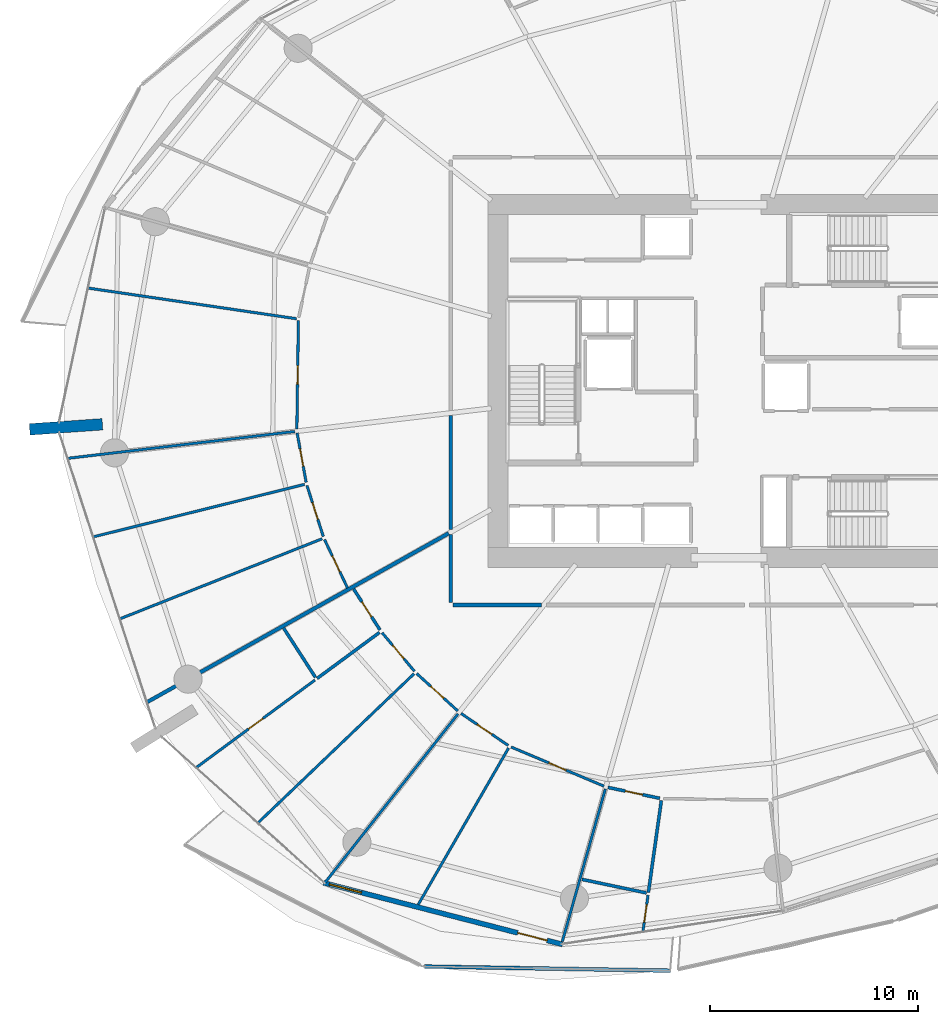
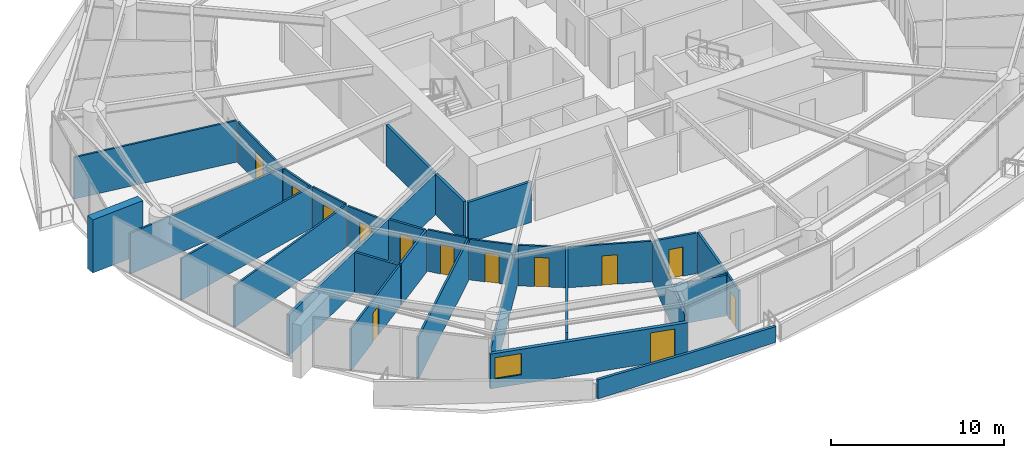
# One storey, part 19 of 31: 31 walls, 13 doors, 1 window, 14 openings.
"""IFC4 building model written with IfcOpenShell, lengths in metres."""

from ifc_helpers import new_model, si_unit, direction, frame, frame_2d, origin, place, context, subcontext, project, spatial, polyline, rectangle, outline, extrude, material, layer, layer_set, type_object, element, fill, save


model = new_model("IFC4")

# Units and contexts
model_context = context("Model", 3, precision=1e-05, world=origin(), true_north=direction((0.0, 1.0)))
body_context = subcontext(model_context, "Body", "Model", "MODEL_VIEW")
ifc_project = project(units=[si_unit("LENGTHUNIT", "METRE"), si_unit("AREAUNIT", "SQUARE_METRE"), si_unit("VOLUMEUNIT", "CUBIC_METRE"), si_unit("PLANEANGLEUNIT", "RADIAN"), si_unit("MASSUNIT", "GRAM", prefix="KILO")], contexts=[model_context])

# Site, building, storey
site_placement = place(None, origin())
site = spatial("IfcSite", under=ifc_project, at=site_placement, CompositionType="ELEMENT")
building_placement = place(site_placement, origin())
building = spatial("IfcBuilding", under=site, at=building_placement, Name="Kazma Halo Residences", CompositionType="ELEMENT")
storey_placement = place(building_placement, frame((0.0, 0.0, 33.89990234375)))
storey = spatial("IfcBuildingStorey", under=building, at=storey_placement, Name="L07", CompositionType="ELEMENT", Elevation=33.89990234375)

# Walls
ifc_material_1 = material(Name="White Concrete C50/60 Balustrade", Category="concrete")
ifc_layer_1 = layer(ifc_material_1, 0.179931640625)
ifc_layer_set_1 = layer_set([ifc_layer_1], Name="White Concrete C50/60 Balustrade")
wall_type_1 = type_object("IfcWallType", Name="WL-BAL-WAVE-180", PredefinedType="PARAPET", material=ifc_layer_set_1)
wall_1_placement = place(storey_placement, frame((33.796142578125, 13.8857421875, 0.0), z_axis=(0.0, 0.0, 1.0), x_axis=(0.999855793441, -0.016982117721, 0.0)))
element("IfcWall", 1, at=wall_1_placement, inside=storey, type_object=wall_type_1, Name="L07 white wave balustrade wall SW.2", PredefinedType="PARAPET", context=body_context, shape_type="SweptSolid", body=[
    extrude(outline(polyline([(0.0, 0.0), (11.802978515625, 0.0), (11.802978515625, 1.1201171875), (5.901611328125, 1.18212890625), (0.0, 1.34814453125), (0.0, 0.0)])), frame((0.0, 0.08984375, 0.0), z_axis=(0.0, -1.0, 0.0), x_axis=(1.0, 0.0, 0.0)), (0.0, 0.0, 1.0), 0.179931640625),
])
ifc_material_2 = material(Name="Pale Concrete C60/75", Category="concrete")
ifc_layer_2 = layer(ifc_material_2, 0.550048828125)
ifc_layer_set_2 = layer_set([ifc_layer_2], Name="Pale Concrete C60/75")
wall_type_2 = type_object("IfcWallType", Name="WL-BLADE-550", PredefinedType="SOLIDWALL", material=ifc_layer_set_2)
wall_2_placement = place(storey_placement, frame((18.322021484375, 39.9248046875, 0.0), z_axis=(0.0, 0.0, 1.0), x_axis=(-0.997564163539, -0.069754853754, 0.0)))
element("IfcWall", 2, at=wall_2_placement, inside=storey, type_object=wall_type_2, Name="L07 pale concrete structural blade fin wall BW-02", PredefinedType="SOLIDWALL", context=body_context, shape_type="SweptSolid", body=[
    extrude(rectangle(XDim=3.5, YDim=0.550048828125, at=frame_2d((1.75, 0.0))), origin(), (0.0, 0.0, 1.0), 3.75),
])
ifc_material_3 = material(Name="Acoustic Twin-Stud Gypsum")
ifc_layer_3 = layer(ifc_material_3, 0.179931640625)
ifc_layer_set_3 = layer_set([ifc_layer_3], Name="Acoustic Twin-Stud Gypsum")
wall_type_3 = type_object("IfcWallType", Name="WL-DEM-180", PredefinedType="PARTITIONING", material=ifc_layer_set_3)
wall_3_placement = place(storey_placement, frame((34.9541015625, 34.694091796875, 0.0), z_axis=(0.0, 0.0, 1.0), x_axis=(-0.872493465611, -0.488625779577, 0.0)))
element("IfcWall", 3, at=wall_3_placement, inside=storey, type_object=wall_type_3, Name="L07 apartment demising radial wall 08", PredefinedType="PARTITIONING", context=body_context, shape_type="SweptSolid", body=[
    extrude(rectangle(XDim=16.586181640625, YDim=0.179931640625, at=frame_2d((8.29296875, 0.0))), origin(), (0.0, 0.0, 1.0), 2.8671875),
])
wall_4_placement = place(storey_placement, frame((35.050048828125, 40.347412109375, 0.0), z_axis=(0.0, 0.0, 1.0), x_axis=(0.0, -1.0, 0.0)))
element("IfcWall", 4, at=wall_4_placement, inside=storey, type_object=wall_type_3, Name="L07 Apartment 1 inner wall 7", PredefinedType="PARTITIONING", context=body_context, shape_type="SweptSolid", body=[
    extrude(rectangle(XDim=5.479736328125, YDim=0.179931640625, at=frame_2d((2.73974609375, 0.0))), origin(), (0.0, 0.0, 1.0), 2.8671875),
])
wall_5_placement = place(storey_placement, frame((35.050048828125, 34.627685546875, 0.0), z_axis=(0.0, 0.0, 1.0), x_axis=(0.0, -1.0, 0.0)))
element("IfcWall", 5, at=wall_5_placement, inside=storey, type_object=wall_type_3, Name="L07 Apartment 2 inner wall 8", PredefinedType="PARTITIONING", context=body_context, shape_type="SweptSolid", body=[
    extrude(rectangle(XDim=3.257568359375, YDim=0.179931640625, at=frame_2d((1.62890625, 0.0))), origin(), (0.0, 0.0, 1.0), 2.8671875),
])
wall_6_placement = place(storey_placement, frame((35.169921875, 31.25, 0.0), z_axis=(0.0, 0.0, 1.0), x_axis=(1.0, 0.0, 0.0)))
element("IfcWall", 6, at=wall_6_placement, inside=storey, type_object=wall_type_3, Name="L07 Apartment 2 inner wall 8", PredefinedType="PARTITIONING", context=body_context, shape_type="SweptSolid", body=[
    extrude(rectangle(XDim=4.235595703125, YDim=0.179931640625, at=frame_2d((2.11767578125, 0.0))), origin(), (0.0, 0.0, 1.0), 2.8671875),
])

# Wall, openings, door, window
ifc_material_4 = material(Name="Insulated Pale-Metal Composite Wall")
ifc_layer_4 = layer(ifc_material_4, 0.239990234375)
ifc_layer_set_4 = layer_set([ifc_layer_4], Name="Insulated Pale-Metal Composite Wall")
wall_type_4 = type_object("IfcWallType", Name="WL-EXT-HOST-240", PredefinedType="SOLIDWALL", material=ifc_layer_set_4)
wall_7_placement = place(storey_placement, frame((28.94580078125, 17.90380859375, 0.0), z_axis=(0.0, 0.0, 1.0), x_axis=(0.96833871487, -0.249640007378, 0.0)))
wall_7 = element("IfcWall", 7, at=wall_7_placement, inside=storey, type_object=wall_type_4, Name="L07 exterior terrace-access wall B10", PredefinedType="SOLIDWALL", context=body_context, shape_type="SweptSolid", body=[
    extrude(rectangle(XDim=11.85107421875, YDim=0.239990234375, at=frame_2d((5.925537109375, 0.0))), origin(), (0.0, 0.0, 1.0), 2.4501953125),
])
opening_1_placement = place(wall_7_placement, frame((9.631103515625, 0.0, 0.0)))
opening_1 = element("IfcOpeningElement", 8, at=opening_1_placement, cuts=wall_7, Name="Opening DTR-1600", PredefinedType="OPENING", context=body_context, shape_type="SweptSolid", body=[
    extrude(rectangle(XDim=1.449951171875, YDim=2.14990234375, at=frame_2d((0.72509765625, 1.074951171875))), frame((0.0, 0.1298828125, 0.0), z_axis=(0.0, -1.0, 0.0), x_axis=(1.0, 0.0, 0.0)), (0.0, 0.0, 1.0), 0.260009765625),
])
opening_2_placement = place(wall_7_placement, frame((0.280029296875, 0.0, 0.64990234375)))
opening_2 = element("IfcOpeningElement", 9, at=opening_2_placement, cuts=wall_7, Name="Opening W-1800", PredefinedType="OPENING", context=body_context, shape_type="SweptSolid", body=[
    extrude(rectangle(XDim=1.60009765625, YDim=1.5, at=frame_2d((0.800048828125, 0.75))), frame((0.0, 0.1298828125, 0.0), z_axis=(0.0, -1.0, 0.0), x_axis=(1.0, 0.0, 0.0)), (0.0, 0.0, 1.0), 0.260009765625),
])
ifc_material_5 = material(Name="Aluminium AW-6063 T6 Double-Glazed Terrace Door", Category="aluminium")
door_type_1 = type_object("IfcDoorType", Name="DR-EXT-TERR-1600", OperationType="NOTDEFINED", PredefinedType="DOOR", material=ifc_material_5)
door_1_placement = place(opening_1_placement, origin())
door_1 = element("IfcDoor", 10, at=door_1_placement, inside=storey, type_object=door_type_1, Name="L07 B10 balcony terrace door", OperationType="DOUBLE_DOOR_SLIDING", OverallHeight=2.14990234375, OverallWidth=1.449951171875, PredefinedType="DOOR", context=body_context, shape_type="SweptSolid", body=[
    extrude(rectangle(XDim=1.449951171875, YDim=2.14990234375, at=frame_2d((0.72509765625, 1.074951171875))), frame((0.0, 0.02490234375, 0.0), z_axis=(0.0, -1.0, 0.0), x_axis=(1.0, 0.0, 0.0)), (0.0, 0.0, 1.0), 0.050048828125),
])
fill(opening_1, door_1)
ifc_material_6 = material(Name="Clear Triple-Silver Low-E Glass in Aluminium AW-6063 T6 Frame", Category="aluminium")
window_type = type_object("IfcWindowType", Name="WIN-RES-1800", PartitioningType="DOUBLE_PANEL_VERTICAL", PredefinedType="WINDOW", material=ifc_material_6)
window_placement = place(opening_2_placement, origin())
window = element("IfcWindow", 11, at=window_placement, inside=storey, type_object=window_type, Name="L07 B10 apartment window", OverallHeight=1.5, OverallWidth=1.60009765625, PartitioningType="SINGLE_PANEL", PredefinedType="WINDOW", context=body_context, shape_type="SweptSolid", body=[
    extrude(rectangle(XDim=1.60009765625, YDim=1.5, at=frame_2d((0.800048828125, 0.75))), frame((0.0, 0.030029296875, 0.0), z_axis=(0.0, -1.0, 0.0), x_axis=(1.0, 0.0, 0.0)), (0.0, 0.0, 1.0), 0.06005859375),
])
fill(opening_2, window)

# Wall
ifc_material_7 = material(Name="Gypsum Plasterboard Partition")
ifc_layer_5 = layer(ifc_material_7, 0.125)
ifc_layer_set_5 = layer_set([ifc_layer_5], Name="Gypsum Plasterboard Partition")
wall_type_5 = type_object("IfcWallType", Name="WL-PART-125", PredefinedType="PARTITIONING", material=ifc_layer_set_5)
wall_8_placement = place(storey_placement, frame((27.646240234375, 44.99462890625, 0.0), z_axis=(0.0, 0.0, 1.0), x_axis=(-0.989346856364, 0.145577463234, 0.0)))
element("IfcWall", 12, at=wall_8_placement, inside=storey, type_object=wall_type_5, Name="L07 Apartment 1 mid-bay wall 6", PredefinedType="PARTITIONING", context=body_context, shape_type="SweptSolid", body=[
    extrude(rectangle(XDim=10.104248046875, YDim=0.125, at=frame_2d((5.05224609375, 0.0))), origin(), (0.0, 0.0, 1.0), 2.940185546875),
])

# Wall, opening, door
wall_9_placement = place(storey_placement, frame((27.734130859375, 44.901611328125, 0.0), z_axis=(0.0, 0.0, 1.0), x_axis=(-0.014152399805, -0.999899849775, 0.0)))
wall_9 = element("IfcWall", 13, at=wall_9_placement, inside=storey, type_object=wall_type_5, Name="L07 Apartment 1 Primary Formal Dining Room hall wall", PredefinedType="PARTITIONING", context=body_context, shape_type="SweptSolid", body=[
    extrude(rectangle(XDim=5.209716796875, YDim=0.125, at=frame_2d((2.60498046875, 0.0))), origin(), (0.0, 0.0, 1.0), 2.8671875),
])
opening_3_placement = place(wall_9_placement, frame((2.15478515625, 0.0, 0.0)))
opening_3 = element("IfcOpeningElement", 14, at=opening_3_placement, cuts=wall_9, Name="Opening DI-950", PredefinedType="OPENING", context=body_context, shape_type="SweptSolid", body=[
    extrude(rectangle(XDim=0.89990234375, YDim=2.080078125, at=frame_2d((0.449951171875, 1.0400390625))), frame((0.0, 0.072509765625, 0.0), z_axis=(0.0, -1.0, 0.0), x_axis=(1.0, 0.0, 0.0)), (0.0, 0.0, 1.0), 0.14501953125),
])
ifc_material_8 = material(Name="Timber Veneer Flush Leaf", Category="wood")
door_type_2 = type_object("IfcDoorType", Name="DR-INT-950", OperationType="NOTDEFINED", PredefinedType="DOOR", material=ifc_material_8)
door_2_placement = place(opening_3_placement, origin())
door_2 = element("IfcDoor", 15, at=door_2_placement, inside=storey, type_object=door_type_2, Name="L07 Apartment 1 Primary Formal Dining Room door", OperationType="SINGLE_SWING_LEFT", OverallHeight=2.080078125, OverallWidth=0.89990234375, PredefinedType="DOOR", context=body_context, shape_type="SweptSolid", body=[
    extrude(rectangle(XDim=0.89990234375, YDim=2.080078125, at=frame_2d((0.449951171875, 1.0400390625))), frame((0.0, 0.02490234375, 0.0), z_axis=(0.0, -1.0, 0.0), x_axis=(1.0, 0.0, 0.0)), (0.0, 0.0, 1.0), 0.050048828125),
])
fill(opening_3, door_2)

# Walls
wall_10_placement = place(storey_placement, frame((27.559814453125, 39.580810546875, 0.0), z_axis=(0.0, 0.0, 1.0), x_axis=(-0.993067148518, -0.117548451854, 0.0)))
element("IfcWall", 16, at=wall_10_placement, inside=storey, type_object=wall_type_5, Name="L07 Apartment 1 radial partition 7", PredefinedType="PARTITIONING", context=body_context, shape_type="SweptSolid", body=[
    extrude(rectangle(XDim=10.955810546875, YDim=0.125, at=frame_2d((5.47802734375, 0.0))), origin(), (0.0, 0.0, 1.0), 2.8671875),
])
wall_11_placement = place(storey_placement, frame((28.03369140625, 37.040283203125, 0.0), z_axis=(0.0, 0.0, 1.0), x_axis=(-0.970510155377, -0.241060237928, 0.0)))
element("IfcWall", 17, at=wall_11_placement, inside=storey, type_object=wall_type_5, Name="L07 Apartment 1 bay wall 1 7", PredefinedType="PARTITIONING", context=body_context, shape_type="SweptSolid", body=[
    extrude(rectangle(XDim=10.436767578125, YDim=0.125, at=frame_2d((5.21826171875, 0.0))), origin(), (0.0, 0.0, 1.0), 2.940185546875),
])
wall_12_placement = place(storey_placement, frame((28.87158203125, 34.426513671875, 0.0), z_axis=(0.0, 0.0, 1.0), x_axis=(-0.929776542834, -0.368124408855, 0.0)))
element("IfcWall", 18, at=wall_12_placement, inside=storey, type_object=wall_type_5, Name="L07 Apartment 1 bay wall 2 7", PredefinedType="PARTITIONING", context=body_context, shape_type="SweptSolid", body=[
    extrude(rectangle(XDim=10.420166015625, YDim=0.125, at=frame_2d((5.2099609375, 0.0))), origin(), (0.0, 0.0, 1.0), 2.940185546875),
])

# Wall, opening, door
wall_13_placement = place(storey_placement, frame((27.67333984375, 39.513916015625, 0.0), z_axis=(0.0, 0.0, 1.0), x_axis=(0.179642413558, -0.983731977345, 0.0)))
wall_13 = element("IfcWall", 19, at=wall_13_placement, inside=storey, type_object=wall_type_5, Name="L07 Apartment 1 Secondary Bedroom hall wall", PredefinedType="PARTITIONING", context=body_context, shape_type="SweptSolid", body=[
    extrude(rectangle(XDim=2.412353515625, YDim=0.125, at=frame_2d((1.2060546875, 0.0))), origin(), (0.0, 0.0, 1.0), 2.8671875),
])
opening_4_placement = place(wall_13_placement, frame((0.781005859375, 0.0, 0.0)))
opening_4 = element("IfcOpeningElement", 20, at=opening_4_placement, cuts=wall_13, Name="Opening DB-900", PredefinedType="OPENING", context=body_context, shape_type="SweptSolid", body=[
    extrude(rectangle(XDim=0.85009765625, YDim=2.06005859375, at=frame_2d((0.425048828125, 1.030029296875))), frame((0.0, 0.072509765625, 0.0), z_axis=(0.0, -1.0, 0.0), x_axis=(1.0, 0.0, 0.0)), (0.0, 0.0, 1.0), 0.14501953125),
])
ifc_material_9 = material(Name="Moisture-Sealed Timber Leaf", Category="wood")
door_type_3 = type_object("IfcDoorType", Name="DR-BTH-900", OperationType="NOTDEFINED", PredefinedType="DOOR", material=ifc_material_9)
door_3_placement = place(opening_4_placement, origin())
door_3 = element("IfcDoor", 21, at=door_3_placement, inside=storey, type_object=door_type_3, Name="L07 Apartment 1 Secondary Bedroom door", OperationType="SINGLE_SWING_RIGHT", OverallHeight=2.06005859375, OverallWidth=0.85009765625, PredefinedType="DOOR", context=body_context, shape_type="SweptSolid", body=[
    extrude(rectangle(XDim=0.85009765625, YDim=2.06005859375, at=frame_2d((0.425048828125, 1.030029296875))), frame((0.0, 0.02490234375, 0.0), z_axis=(0.0, -1.0, 0.0), x_axis=(1.0, 0.0, 0.0)), (0.0, 0.0, 1.0), 0.050048828125),
])
fill(opening_4, door_3)

wall_14_placement = place(storey_placement, frame((28.1455078125, 36.98583984375, 0.0), z_axis=(0.0, 0.0, 1.0), x_axis=(0.305274947668, -0.952264252362, 0.0)))
wall_14 = element("IfcWall", 22, at=wall_14_placement, inside=storey, type_object=wall_type_5, Name="L07 Apartment 1 East Dressing Wardrobe hall wall", PredefinedType="PARTITIONING", context=body_context, shape_type="SweptSolid", body=[
    extrude(rectangle(XDim=2.57275390625, YDim=0.125, at=frame_2d((1.286376953125, 0.0))), origin(), (0.0, 0.0, 1.0), 2.940185546875),
])
opening_5_placement = place(wall_14_placement, frame((0.861328125, 0.0, 0.0)))
opening_5 = element("IfcOpeningElement", 23, at=opening_5_placement, cuts=wall_14, Name="Opening DB-900", PredefinedType="OPENING", context=body_context, shape_type="SweptSolid", body=[
    extrude(rectangle(XDim=0.85009765625, YDim=2.06005859375, at=frame_2d((0.425048828125, 1.030029296875))), frame((0.0, 0.072509765625, 0.0), z_axis=(0.0, -1.0, 0.0), x_axis=(1.0, 0.0, 0.0)), (0.0, 0.0, 1.0), 0.14501953125),
])
door_4_placement = place(opening_5_placement, origin())
door_4 = element("IfcDoor", 24, at=door_4_placement, inside=storey, type_object=door_type_3, Name="L07 Apartment 1 East Dressing Wardrobe door", OperationType="SINGLE_SWING_LEFT", OverallHeight=2.06005859375, OverallWidth=0.85009765625, PredefinedType="DOOR", context=body_context, shape_type="SweptSolid", body=[
    extrude(rectangle(XDim=0.85009765625, YDim=2.06005859375, at=frame_2d((0.425048828125, 1.030029296875))), frame((0.0, 0.02490234375, 0.0), z_axis=(0.0, -1.0, 0.0), x_axis=(1.0, 0.0, 0.0)), (0.0, 0.0, 1.0), 0.050048828125),
])
fill(opening_5, door_4)

wall_15_placement = place(storey_placement, frame((28.98974609375, 34.387451171875, 0.0), z_axis=(0.0, 0.0, 1.0), x_axis=(0.429399392499, -0.903114700202, 0.0)))
wall_15 = element("IfcWall", 25, at=wall_15_placement, inside=storey, type_object=wall_type_5, Name="L07 Apartment 1 West Master Bedroom hall wall", PredefinedType="PARTITIONING", context=body_context, shape_type="SweptSolid", body=[
    extrude(rectangle(XDim=2.57275390625, YDim=0.125, at=frame_2d((1.286376953125, 0.0))), origin(), (0.0, 0.0, 1.0), 2.8671875),
])
opening_6_placement = place(wall_15_placement, frame((0.861328125, 0.0, 0.0)))
opening_6 = element("IfcOpeningElement", 26, at=opening_6_placement, cuts=wall_15, Name="Opening DB-900", PredefinedType="OPENING", context=body_context, shape_type="SweptSolid", body=[
    extrude(rectangle(XDim=0.85009765625, YDim=2.06005859375, at=frame_2d((0.425048828125, 1.030029296875))), frame((0.0, 0.072509765625, 0.0), z_axis=(0.0, -1.0, 0.0), x_axis=(1.0, 0.0, 0.0)), (0.0, 0.0, 1.0), 0.14501953125),
])
door_5_placement = place(opening_6_placement, origin())
door_5 = element("IfcDoor", 27, at=door_5_placement, inside=storey, type_object=door_type_3, Name="L07 Apartment 1 West Master Bedroom door", OperationType="SINGLE_SWING_RIGHT", OverallHeight=2.06005859375, OverallWidth=0.85009765625, PredefinedType="DOOR", context=body_context, shape_type="SweptSolid", body=[
    extrude(rectangle(XDim=0.85009765625, YDim=2.06005859375, at=frame_2d((0.425048828125, 1.030029296875))), frame((0.0, 0.02490234375, 0.0), z_axis=(0.0, -1.0, 0.0), x_axis=(1.0, 0.0, 0.0)), (0.0, 0.0, 1.0), 0.050048828125),
])
fill(opening_6, door_5)

wall_16_placement = place(storey_placement, frame((28.528564453125, 27.6416015625, 0.0), z_axis=(0.0, 0.0, 1.0), x_axis=(-0.804851782882, -0.593475869427, 0.0)))
wall_16 = element("IfcWall", 28, at=wall_16_placement, inside=storey, type_object=wall_type_5, Name="L07 Apartment 2 Household Store Room partition wall", PredefinedType="PARTITIONING", context=body_context, shape_type="SweptSolid", body=[
    extrude(rectangle(XDim=7.068603515625, YDim=0.125, at=frame_2d((3.5341796875, 0.0))), origin(), (0.0, 0.0, 1.0), 2.940185546875),
])
opening_7_placement = place(wall_16_placement, frame((3.109375, 0.0, 0.0)))
opening_7 = element("IfcOpeningElement", 29, at=opening_7_placement, cuts=wall_16, Name="Opening DB-900", PredefinedType="OPENING", context=body_context, shape_type="SweptSolid", body=[
    extrude(rectangle(XDim=0.85009765625, YDim=2.06005859375, at=frame_2d((0.425048828125, 1.030029296875))), frame((0.0, 0.072509765625, 0.0), z_axis=(0.0, -1.0, 0.0), x_axis=(1.0, 0.0, 0.0)), (0.0, 0.0, 1.0), 0.14501953125),
])
door_6_placement = place(opening_7_placement, origin())
door_6 = element("IfcDoor", 30, at=door_6_placement, inside=storey, type_object=door_type_3, Name="L07 Apartment 2 Household Store Room door", OperationType="SINGLE_SWING_LEFT", OverallHeight=2.06005859375, OverallWidth=0.85009765625, PredefinedType="DOOR", context=body_context, shape_type="SweptSolid", body=[
    extrude(rectangle(XDim=0.85009765625, YDim=2.06005859375, at=frame_2d((0.425048828125, 1.030029296875))), frame((0.0, 0.02490234375, 0.0), z_axis=(0.0, -1.0, 0.0), x_axis=(1.0, 0.0, 0.0)), (0.0, 0.0, 1.0), 0.050048828125),
])
fill(opening_7, door_6)

# Wall
wall_17_placement = place(storey_placement, frame((33.291259765625, 27.947021484375, 0.0), z_axis=(0.0, 0.0, 1.0), x_axis=(-0.72304195697, -0.690804117287, 0.0)))
element("IfcWall", 31, at=wall_17_placement, inside=storey, type_object=wall_type_5, Name="L07 Apartment 2 suite divider 8", PredefinedType="PARTITIONING", context=body_context, shape_type="SweptSolid", body=[
    extrude(rectangle(XDim=10.360107421875, YDim=0.125, at=frame_2d((5.18017578125, 0.0))), origin(), (0.0, 0.0, 1.0), 2.940185546875),
])

# Wall, opening, door
wall_18_placement = place(storey_placement, frame((31.75732421875, 29.9111328125, 0.0), z_axis=(0.0, 0.0, 1.0), x_axis=(0.643453951952, -0.76548482135, 0.0)))
wall_18 = element("IfcWall", 32, at=wall_18_placement, inside=storey, type_object=wall_type_5, Name="L07 Apartment 2 Gourmet Kitchen hall wall", PredefinedType="PARTITIONING", context=body_context, shape_type="SweptSolid", body=[
    extrude(rectangle(XDim=2.40478515625, YDim=0.125, at=frame_2d((1.202392578125, 0.0))), origin(), (0.0, 0.0, 1.0), 2.940185546875),
])
opening_8_placement = place(wall_18_placement, frame((0.77734375, 0.0, 0.0)))
opening_8 = element("IfcOpeningElement", 33, at=opening_8_placement, cuts=wall_18, Name="Opening DB-900", PredefinedType="OPENING", context=body_context, shape_type="SweptSolid", body=[
    extrude(rectangle(XDim=0.85009765625, YDim=2.06005859375, at=frame_2d((0.425048828125, 1.030029296875))), frame((0.0, 0.072509765625, 0.0), z_axis=(0.0, -1.0, 0.0), x_axis=(1.0, 0.0, 0.0)), (0.0, 0.0, 1.0), 0.14501953125),
])
door_7_placement = place(opening_8_placement, origin())
door_7 = element("IfcDoor", 34, at=door_7_placement, inside=storey, type_object=door_type_3, Name="L07 Apartment 2 Gourmet Kitchen door", OperationType="SINGLE_SWING_RIGHT", OverallHeight=2.06005859375, OverallWidth=0.85009765625, PredefinedType="DOOR", context=body_context, shape_type="SweptSolid", body=[
    extrude(rectangle(XDim=0.85009765625, YDim=2.06005859375, at=frame_2d((0.425048828125, 1.030029296875))), frame((0.0, 0.02490234375, 0.0), z_axis=(0.0, -1.0, 0.0), x_axis=(1.0, 0.0, 0.0)), (0.0, 0.0, 1.0), 0.050048828125),
])
fill(opening_8, door_7)

wall_19_placement = place(storey_placement, frame((33.41552734375, 27.955322265625, 0.0), z_axis=(0.0, 0.0, 1.0), x_axis=(0.739882041231, -0.672736623846, 0.0)))
wall_19 = element("IfcWall", 35, at=wall_19_placement, inside=storey, type_object=wall_type_5, Name="L07 Apartment 2 Master Bedroom hall wall", PredefinedType="PARTITIONING", context=body_context, shape_type="SweptSolid", body=[
    extrude(rectangle(XDim=2.665283203125, YDim=0.125, at=frame_2d((1.33251953125, 0.0))), origin(), (0.0, 0.0, 1.0), 2.8671875),
])
opening_9_placement = place(wall_19_placement, frame((0.90771484375, 0.0, 0.0)))
opening_9 = element("IfcOpeningElement", 36, at=opening_9_placement, cuts=wall_19, Name="Opening DB-900", PredefinedType="OPENING", context=body_context, shape_type="SweptSolid", body=[
    extrude(rectangle(XDim=0.85009765625, YDim=2.06005859375, at=frame_2d((0.425048828125, 1.030029296875))), frame((0.0, 0.072509765625, 0.0), z_axis=(0.0, -1.0, 0.0), x_axis=(1.0, 0.0, 0.0)), (0.0, 0.0, 1.0), 0.14501953125),
])
door_8_placement = place(opening_9_placement, origin())
door_8 = element("IfcDoor", 37, at=door_8_placement, inside=storey, type_object=door_type_3, Name="L07 Apartment 2 Master Bedroom door", OperationType="SINGLE_SWING_LEFT", OverallHeight=2.06005859375, OverallWidth=0.85009765625, PredefinedType="DOOR", context=body_context, shape_type="SweptSolid", body=[
    extrude(rectangle(XDim=0.85009765625, YDim=2.06005859375, at=frame_2d((0.425048828125, 1.030029296875))), frame((0.0, 0.02490234375, 0.0), z_axis=(0.0, -1.0, 0.0), x_axis=(1.0, 0.0, 0.0)), (0.0, 0.0, 1.0), 0.050048828125),
])
fill(opening_9, door_8)

# Walls
wall_20_placement = place(storey_placement, frame((35.399658203125, 26.0166015625, 0.0), z_axis=(0.0, 0.0, 1.0), x_axis=(-0.619085809847, -0.785323347447, 0.0)))
element("IfcWall", 38, at=wall_20_placement, inside=storey, type_object=wall_type_5, Name="L07 Apartment 2 radial partition 9", PredefinedType="PARTITIONING", context=body_context, shape_type="SweptSolid", body=[
    extrude(rectangle(XDim=10.321533203125, YDim=0.125, at=frame_2d((5.16064453125, 0.0))), origin(), (0.0, 0.0, 1.0), 2.8671875),
])
wall_21_placement = place(storey_placement, frame((37.830810546875, 24.381103515625, 0.0), z_axis=(0.0, 0.0, 1.0), x_axis=(-0.499878153527, -0.866095740451, 0.0)))
element("IfcWall", 39, at=wall_21_placement, inside=storey, type_object=wall_type_5, Name="L07 Apartment 2 mid-bay wall 9", PredefinedType="PARTITIONING", context=body_context, shape_type="SweptSolid", body=[
    extrude(rectangle(XDim=8.687255859375, YDim=0.125, at=frame_2d((4.34375, 0.0))), origin(), (0.0, 0.0, 1.0), 2.940185546875),
])

# Wall, opening, door
wall_22_placement = place(storey_placement, frame((35.544189453125, 26.038818359375, 0.0), z_axis=(0.0, 0.0, 1.0), x_axis=(0.827867904516, -0.560923107629, 0.0)))
wall_22 = element("IfcWall", 40, at=wall_22_placement, inside=storey, type_object=wall_type_5, Name="L07 Apartment 2 East Dressing Wardrobe hall wall", PredefinedType="PARTITIONING", context=body_context, shape_type="SweptSolid", body=[
    extrude(rectangle(XDim=2.736328125, YDim=0.125, at=frame_2d((1.3681640625, 0.0))), origin(), (0.0, 0.0, 1.0), 2.8671875),
])
opening_10_placement = place(wall_22_placement, frame((0.943115234375, 0.0, 0.0)))
opening_10 = element("IfcOpeningElement", 41, at=opening_10_placement, cuts=wall_22, Name="Opening DB-900", PredefinedType="OPENING", context=body_context, shape_type="SweptSolid", body=[
    extrude(rectangle(XDim=0.85009765625, YDim=2.06005859375, at=frame_2d((0.425048828125, 1.030029296875))), frame((0.0, 0.072509765625, 0.0), z_axis=(0.0, -1.0, 0.0), x_axis=(1.0, 0.0, 0.0)), (0.0, 0.0, 1.0), 0.14501953125),
])
door_9_placement = place(opening_10_placement, origin())
door_9 = element("IfcDoor", 42, at=door_9_placement, inside=storey, type_object=door_type_3, Name="L07 Apartment 2 East Dressing Wardrobe door", OperationType="SINGLE_SWING_LEFT", OverallHeight=2.06005859375, OverallWidth=0.85009765625, PredefinedType="DOOR", context=body_context, shape_type="SweptSolid", body=[
    extrude(rectangle(XDim=0.85009765625, YDim=2.06005859375, at=frame_2d((0.425048828125, 1.030029296875))), frame((0.0, 0.02490234375, 0.0), z_axis=(0.0, -1.0, 0.0), x_axis=(1.0, 0.0, 0.0)), (0.0, 0.0, 1.0), 0.050048828125),
])
fill(opening_10, door_9)

wall_23_placement = place(storey_placement, frame((37.949462890625, 24.427978515625, 0.0), z_axis=(0.0, 0.0, 1.0), x_axis=(0.921391247889, -0.388636293098, 0.0)))
wall_23 = element("IfcWall", 43, at=wall_23_placement, inside=storey, type_object=wall_type_5, Name="L07 Apartment 2 West Master Bedroom hall wall", PredefinedType="PARTITIONING", context=body_context, shape_type="SweptSolid", body=[
    extrude(rectangle(XDim=4.841552734375, YDim=0.125, at=frame_2d((2.4208984375, 0.0))), origin(), (0.0, 0.0, 1.0), 2.8671875),
])
opening_11_placement = place(wall_23_placement, frame((1.970703125, 0.0, 0.0)))
opening_11 = element("IfcOpeningElement", 44, at=opening_11_placement, cuts=wall_23, Name="Opening DI-950", PredefinedType="OPENING", context=body_context, shape_type="SweptSolid", body=[
    extrude(rectangle(XDim=0.89990234375, YDim=2.080078125, at=frame_2d((0.449951171875, 1.0400390625))), frame((0.0, 0.072509765625, 0.0), z_axis=(0.0, -1.0, 0.0), x_axis=(1.0, 0.0, 0.0)), (0.0, 0.0, 1.0), 0.14501953125),
])
door_10_placement = place(opening_11_placement, origin())
door_10 = element("IfcDoor", 45, at=door_10_placement, inside=storey, type_object=door_type_2, Name="L07 Apartment 2 West Master Bedroom door", OperationType="SINGLE_SWING_RIGHT", OverallHeight=2.080078125, OverallWidth=0.89990234375, PredefinedType="DOOR", context=body_context, shape_type="SweptSolid", body=[
    extrude(rectangle(XDim=0.89990234375, YDim=2.080078125, at=frame_2d((0.449951171875, 1.0400390625))), frame((0.0, 0.02490234375, 0.0), z_axis=(0.0, -1.0, 0.0), x_axis=(1.0, 0.0, 0.0)), (0.0, 0.0, 1.0), 0.050048828125),
])
fill(opening_11, door_10)

# Wall
wall_24_placement = place(storey_placement, frame((42.475341796875, 22.4111328125, 0.0), z_axis=(0.0, 0.0, 1.0), x_axis=(-0.271439615814, -0.96245547168, 0.0)))
element("IfcWall", 46, at=wall_24_placement, inside=storey, type_object=wall_type_5, Name="L07 Apartment 2 radial partition 10", PredefinedType="PARTITIONING", context=body_context, shape_type="SweptSolid", body=[
    extrude(rectangle(XDim=7.619140625, YDim=0.125, at=frame_2d((3.8095703125, 0.0))), origin(), (0.0, 0.0, 1.0), 2.8671875),
])

# Wall, opening, door
wall_25_placement = place(storey_placement, frame((44.525634765625, 17.310302734375, 0.0), z_axis=(0.0, 0.0, 1.0), x_axis=(-0.139282491489, -0.990252688744, 0.0)))
wall_25 = element("IfcWall", 47, at=wall_25_placement, inside=storey, type_object=wall_type_5, Name="L07 Apartment 2 South Walk-In Wardrobe partition wall", PredefinedType="PARTITIONING", context=body_context, shape_type="SweptSolid", body=[
    extrude(rectangle(XDim=1.758056640625, YDim=0.125, at=frame_2d((0.87890625, 0.0))), origin(), (0.0, 0.0, 1.0), 2.940185546875),
])
opening_12_placement = place(wall_25_placement, frame((0.4541015625, 0.0, 0.0)))
opening_12 = element("IfcOpeningElement", 48, at=opening_12_placement, cuts=wall_25, Name="Opening DB-900", PredefinedType="OPENING", context=body_context, shape_type="SweptSolid", body=[
    extrude(rectangle(XDim=0.85009765625, YDim=2.06005859375, at=frame_2d((0.425048828125, 1.030029296875))), frame((0.0, 0.072509765625, 0.0), z_axis=(0.0, -1.0, 0.0), x_axis=(1.0, 0.0, 0.0)), (0.0, 0.0, 1.0), 0.14501953125),
])
door_11_placement = place(opening_12_placement, origin())
door_11 = element("IfcDoor", 49, at=door_11_placement, inside=storey, type_object=door_type_3, Name="L07 Apartment 2 South Walk-In Wardrobe door", OperationType="SINGLE_SWING_LEFT", OverallHeight=2.06005859375, OverallWidth=0.85009765625, PredefinedType="DOOR", context=body_context, shape_type="SweptSolid", body=[
    extrude(rectangle(XDim=0.85009765625, YDim=2.06005859375, at=frame_2d((0.425048828125, 1.030029296875))), frame((0.0, 0.02490234375, 0.0), z_axis=(0.0, -1.0, 0.0), x_axis=(1.0, 0.0, 0.0)), (0.0, 0.0, 1.0), 0.050048828125),
])
fill(opening_12, door_11)

ifc_material_10 = material(Name="Moisture-Resistant Gypsum")
ifc_layer_6 = layer(ifc_material_10, 0.14990234375)
ifc_layer_set_6 = layer_set([ifc_layer_6], Name="Moisture-Resistant Gypsum")
wall_type_6 = type_object("IfcWallType", Name="WL-WET-150", PredefinedType="PARTITIONING", material=ifc_layer_set_6)
wall_26_placement = place(storey_placement, frame((30.383544921875, 32.02001953125, 0.0), z_axis=(0.0, 0.0, 1.0), x_axis=(0.542055500246, -0.84034268882, 0.0)))
wall_26 = element("IfcWall", 50, at=wall_26_placement, inside=storey, type_object=wall_type_6, Name="L07 Apartment 2 Guest Bathroom hall wall", PredefinedType="PARTITIONING", context=body_context, shape_type="SweptSolid", body=[
    extrude(rectangle(XDim=2.337646484375, YDim=0.14990234375, at=frame_2d((1.1689453125, 0.0))), origin(), (0.0, 0.0, 1.0), 2.8671875),
])
opening_13_placement = place(wall_26_placement, frame((0.743896484375, 0.0, 0.0)))
opening_13 = element("IfcOpeningElement", 51, at=opening_13_placement, cuts=wall_26, Name="Opening DB-900", PredefinedType="OPENING", context=body_context, shape_type="SweptSolid", body=[
    extrude(rectangle(XDim=0.85009765625, YDim=2.06005859375, at=frame_2d((0.425048828125, 1.030029296875))), frame((0.0, 0.0849609375, 0.0), z_axis=(0.0, -1.0, 0.0), x_axis=(1.0, 0.0, 0.0)), (0.0, 0.0, 1.0), 0.169921875),
])
door_12_placement = place(opening_13_placement, origin())
door_12 = element("IfcDoor", 52, at=door_12_placement, inside=storey, type_object=door_type_3, Name="L07 Apartment 2 Guest Bathroom door", OperationType="SINGLE_SWING_RIGHT", OverallHeight=2.06005859375, OverallWidth=0.85009765625, PredefinedType="DOOR", context=body_context, shape_type="SweptSolid", body=[
    extrude(rectangle(XDim=0.85009765625, YDim=2.06005859375, at=frame_2d((0.425048828125, 1.030029296875))), frame((0.0, 0.02490234375, 0.0), z_axis=(0.0, -1.0, 0.0), x_axis=(1.0, 0.0, 0.0)), (0.0, 0.0, 1.0), 0.050048828125),
])
fill(opening_13, door_12)

# Walls
wall_27_placement = place(storey_placement, frame((27.0244140625, 30.138916015625, 0.0), z_axis=(0.0, 0.0, 1.0), x_axis=(0.542061750335, -0.840338657223, 0.0)))
element("IfcWall", 53, at=wall_27_placement, inside=storey, type_object=wall_type_6, Name="L07 Apartment 2 Guest Bathroom back wall", PredefinedType="PARTITIONING", context=body_context, shape_type="SweptSolid", body=[
    extrude(rectangle(XDim=2.818115234375, YDim=0.14990234375, at=frame_2d((1.4091796875, 0.0))), origin(), (0.0, 0.0, 1.0), 2.8671875),
])
wall_28_placement = place(storey_placement, frame((31.627197265625, 29.9267578125, 0.0), z_axis=(0.0, 0.0, 1.0), x_axis=(-0.804824851799, -0.59351239071, 0.0)))
element("IfcWall", 54, at=wall_28_placement, inside=storey, type_object=wall_type_6, Name="L07 Apartment 2 Guest Bathroom side wall", PredefinedType="PARTITIONING", context=body_context, shape_type="SweptSolid", body=[
    extrude(rectangle(XDim=3.72021484375, YDim=0.14990234375, at=frame_2d((1.860107421875, 0.0))), origin(), (0.0, 0.0, 1.0), 2.940185546875),
])

# Wall, opening, door
wall_29_placement = place(storey_placement, frame((42.600341796875, 22.48681640625, 0.0), z_axis=(0.0, 0.0, 1.0), x_axis=(0.978579306251, -0.20587020517, 0.0)))
wall_29 = element("IfcWall", 55, at=wall_29_placement, inside=storey, type_object=wall_type_6, Name="L07 Apartment 2 North En-Suite Bathroom hall wall", PredefinedType="PARTITIONING", context=body_context, shape_type="SweptSolid", body=[
    extrude(rectangle(XDim=2.543701171875, YDim=0.14990234375, at=frame_2d((1.27197265625, 0.0))), origin(), (0.0, 0.0, 1.0), 2.8671875),
])
opening_14_placement = place(wall_29_placement, frame((0.846923828125, 0.0, 0.0)))
opening_14 = element("IfcOpeningElement", 56, at=opening_14_placement, cuts=wall_29, Name="Opening DB-900", PredefinedType="OPENING", context=body_context, shape_type="SweptSolid", body=[
    extrude(rectangle(XDim=0.85009765625, YDim=2.06005859375, at=frame_2d((0.425048828125, 1.030029296875))), frame((0.0, 0.0849609375, 0.0), z_axis=(0.0, -1.0, 0.0), x_axis=(1.0, 0.0, 0.0)), (0.0, 0.0, 1.0), 0.169921875),
])
door_13_placement = place(opening_14_placement, origin())
door_13 = element("IfcDoor", 57, at=door_13_placement, inside=storey, type_object=door_type_3, Name="L07 Apartment 2 North En-Suite Bathroom door", OperationType="SINGLE_SWING_RIGHT", OverallHeight=2.06005859375, OverallWidth=0.85009765625, PredefinedType="DOOR", context=body_context, shape_type="SweptSolid", body=[
    extrude(rectangle(XDim=0.85009765625, YDim=2.06005859375, at=frame_2d((0.425048828125, 1.030029296875))), frame((0.0, 0.02490234375, 0.0), z_axis=(0.0, -1.0, 0.0), x_axis=(1.0, 0.0, 0.0)), (0.0, 0.0, 1.0), 0.050048828125),
])
fill(opening_14, door_13)

# Walls
wall_30_placement = place(storey_placement, frame((41.3544921875, 18.069091796875, 0.0), z_axis=(0.0, 0.0, 1.0), x_axis=(0.978588253421, -0.205827671283, 0.0)))
element("IfcWall", 58, at=wall_30_placement, inside=storey, type_object=wall_type_6, Name="L07 Apartment 2 North En-Suite Bathroom back wall", PredefinedType="PARTITIONING", context=body_context, shape_type="SweptSolid", body=[
    extrude(rectangle(XDim=3.163330078125, YDim=0.14990234375, at=frame_2d((1.58154296875, 0.0))), origin(), (0.0, 0.0, 1.0), 2.8671875),
])
wall_31_placement = place(storey_placement, frame((45.165283203125, 21.85546875, 0.0), z_axis=(0.0, 0.0, 1.0), x_axis=(-0.139367219172, -0.990240767804, 0.0)))
element("IfcWall", 59, at=wall_31_placement, inside=storey, type_object=wall_type_6, Name="L07 Apartment 2 North En-Suite Bathroom side wall", PredefinedType="PARTITIONING", context=body_context, shape_type="SweptSolid", body=[
    extrude(rectangle(XDim=4.4599609375, YDim=0.14990234375, at=frame_2d((2.22998046875, 0.0))), origin(), (0.0, 0.0, 1.0), 2.940185546875),
])

save(model, "model.ifc")
